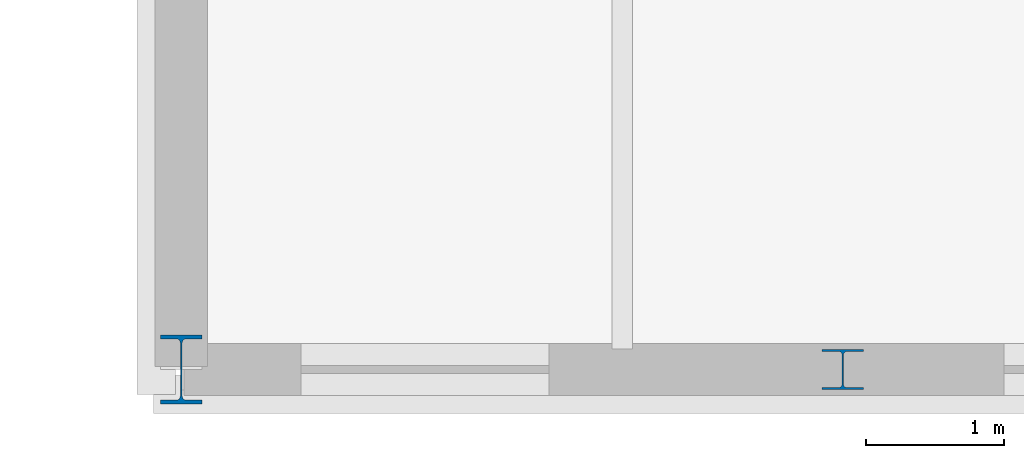
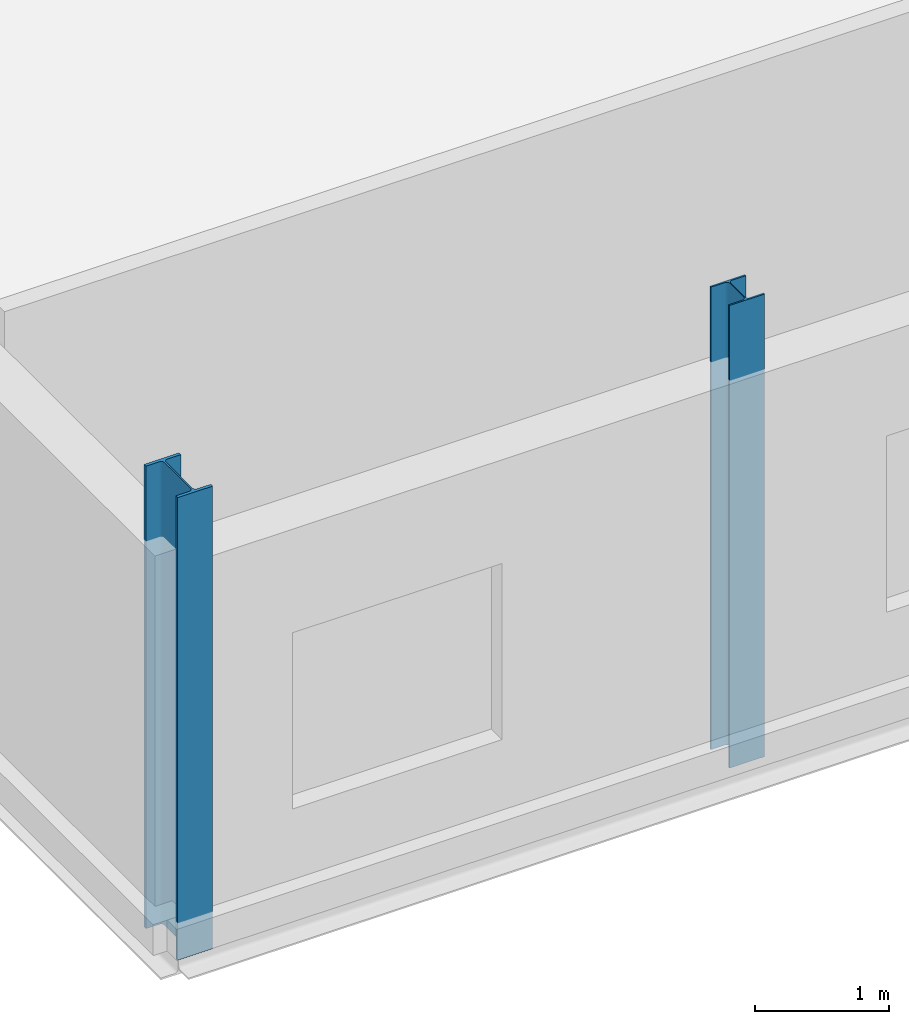
# One storey, part 1 of 78: 2 columns.
"""IFC4 building model written with IfcOpenShell, lengths in metres."""

from ifc_helpers import new_model, si_unit, direction, frame, origin, origin_2d, place, context, subcontext, project, spatial, i_section, extrude, material, material_profile, profile_set, type_object, element, save


model = new_model("IFC4")

# Units and contexts
model_context = context("Model", 3, precision=1e-05, world=origin(), true_north=direction((0.0, 1.0)))
body_context = subcontext(model_context, "Body", "Model", "MODEL_VIEW")
ifc_project = project(units=[si_unit("LENGTHUNIT", "METRE"), si_unit("AREAUNIT", "SQUARE_METRE"), si_unit("VOLUMEUNIT", "CUBIC_METRE"), si_unit("PLANEANGLEUNIT", "RADIAN"), si_unit("MASSUNIT", "GRAM", prefix="KILO")], contexts=[model_context])

# Site, building, storey
site_placement = place(None, origin())
site = spatial("IfcSite", under=ifc_project, at=site_placement, CompositionType="ELEMENT")
building_placement = place(site_placement, origin())
building = spatial("IfcBuilding", under=site, at=building_placement, Name="Alderhovde Museum", CompositionType="ELEMENT")
storey_placement = place(building_placement, frame((0.0, 0.0, 4.5)))
storey = spatial("IfcBuildingStorey", under=building, at=storey_placement, Name="L01", CompositionType="ELEMENT", Elevation=4.5)

# Columns
ifc_material_1 = material(Name="Steel S355J2", Category="steel")
ifc_material_profile_1 = material_profile(ifc_material_1, i_section(OverallWidth=0.300048828125, OverallDepth=0.5, WebThickness=0.014404296875, FlangeThickness=0.028076171875, FilletRadius=0.027099609375, at=origin_2d()), Name="HEB 500")
ifc_profile_set_1 = profile_set([ifc_material_profile_1], Name="Steel S355J2")
column_type_1 = type_object("IfcColumnType", Name="COL-HEB500", PredefinedType="COLUMN", material=ifc_profile_set_1)
column_1_placement = place(storey_placement, frame((67.199951171875, 0.0, -0.260009765625), z_axis=(0.0, 0.0, 1.0), x_axis=(1.0, 0.0, 0.0)))
element("IfcColumn", 1, at=column_1_placement, inside=storey, type_object=column_type_1, Name="L01 Column (67.2, 0.0)", PredefinedType="COLUMN", context=body_context, shape_type="SweptSolid", body=[
    extrude(i_section(OverallWidth=0.300048828125, OverallDepth=0.5, WebThickness=0.014404296875, FlangeThickness=0.028076171875, FilletRadius=0.027099609375, at=origin_2d()), origin(), (0.0, 0.0, 1.0), 4.199951171875),
])
ifc_material_2 = material(Name="Steel S355J2", Category="steel")
ifc_material_profile_2 = material_profile(ifc_material_2, i_section(OverallWidth=0.300048828125, OverallDepth=0.2900390625, WebThickness=0.008544921875, FlangeThickness=0.013916015625, FilletRadius=0.027099609375, at=origin_2d()), Name="HEA 300")
ifc_profile_set_2 = profile_set([ifc_material_profile_2], Name="Steel S355J2")
column_type_2 = type_object("IfcColumnType", Name="PIL-HEA300", PredefinedType="PILASTER", material=ifc_profile_set_2)
column_2_placement = place(storey_placement, frame((72.0, 0.0, -0.260009765625), z_axis=(0.0, 0.0, 1.0), x_axis=(1.0, 0.0, 0.0)))
element("IfcColumn", 2, at=column_2_placement, inside=storey, type_object=column_type_2, Name="L01 Structural Pilaster (72.0, 0.0)", PredefinedType="PILASTER", context=body_context, shape_type="SweptSolid", body=[
    extrude(i_section(OverallWidth=0.300048828125, OverallDepth=0.2900390625, WebThickness=0.008544921875, FlangeThickness=0.013916015625, FilletRadius=0.027099609375, at=origin_2d()), origin(), (0.0, 0.0, 1.0), 4.199951171875),
])

save(model, "model.ifc")
